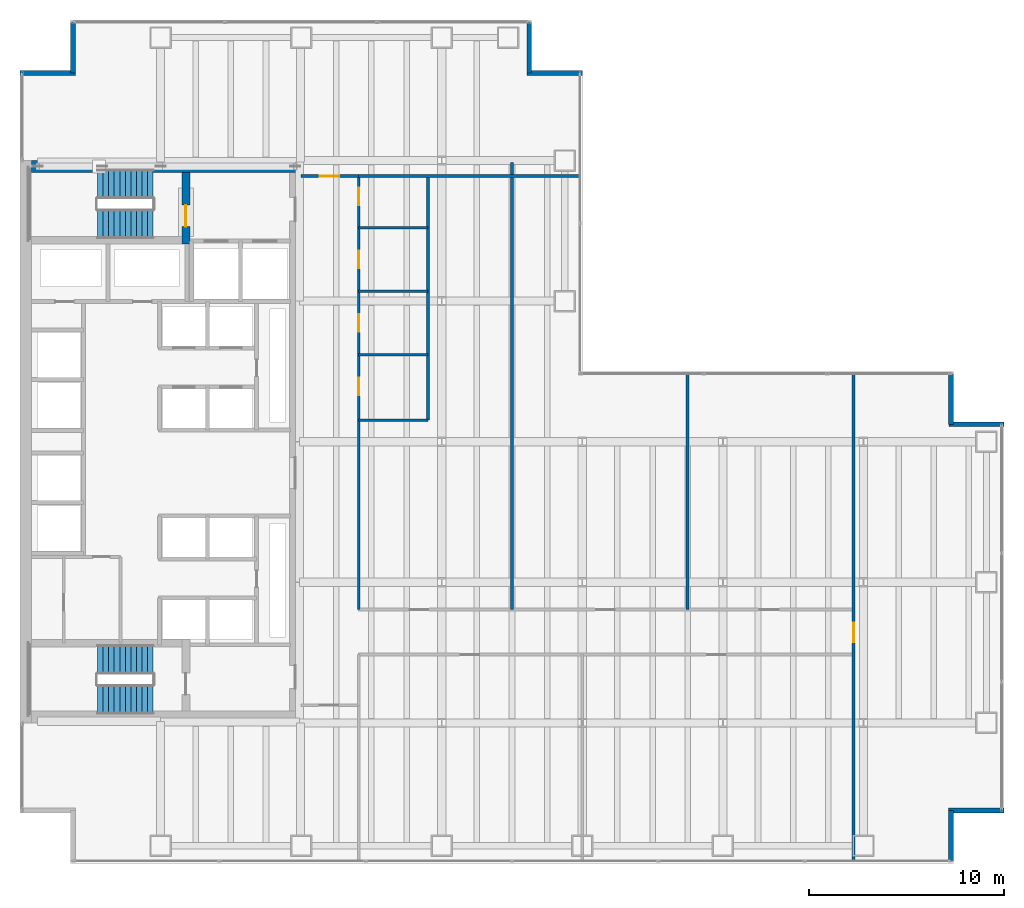
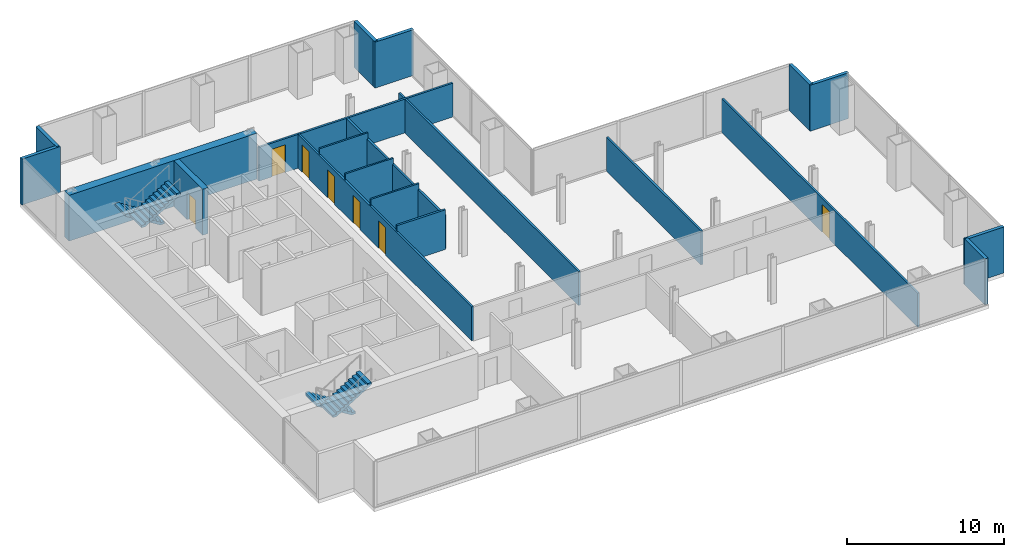
# One storey, part 22 of 23: 21 walls, 7 doors, 4 stair flights, 7 openings, 2 elements without a shape of their own.
"""IFC4 building model written with IfcOpenShell, lengths in metres."""

from ifc_helpers import new_model, si_unit, direction, frame, frame_2d, origin, place, context, subcontext, project, spatial, polyline, rectangle, outline, extrude, material, layer, layer_set, type_object, element, fill, aggregate, save


model = new_model("IFC4")

# Units and contexts
model_context = context("Model", 3, precision=1e-05, world=origin(), true_north=direction((0.0, 1.0)))
body_context = subcontext(model_context, "Body", "Model", "MODEL_VIEW")
ifc_project = project(units=[si_unit("LENGTHUNIT", "METRE"), si_unit("AREAUNIT", "SQUARE_METRE"), si_unit("VOLUMEUNIT", "CUBIC_METRE"), si_unit("PLANEANGLEUNIT", "RADIAN"), si_unit("MASSUNIT", "GRAM", prefix="KILO")], contexts=[model_context])

# Site, building, storey
site_placement = place(None, origin())
site = spatial("IfcSite", under=ifc_project, at=site_placement, CompositionType="ELEMENT")
building_placement = place(site_placement, origin())
building = spatial("IfcBuilding", under=site, at=building_placement, Name="Cobrela Telecom Tower", CompositionType="ELEMENT")
storey_placement = place(building_placement, frame((0.0, 0.0, 38.85009765625)))
storey = spatial("IfcBuildingStorey", under=building, at=storey_placement, Name="L09", CompositionType="ELEMENT", Elevation=38.85009765625)

# Walls
ifc_material_1 = material(Name="Concrete C50/60", Category="concrete")
ifc_layer_1 = layer(ifc_material_1, 0.60009765625)
ifc_layer_set_1 = layer_set([ifc_layer_1], Name="Concrete C50/60")
wall_type_1 = type_object("IfcWallType", Name="WALL-CORE-C50-600", PredefinedType="SHEAR", material=ifc_layer_set_1)
wall_1_placement = place(storey_placement, frame((0.60009765625, 35.699951171875, 0.0), z_axis=(0.0, 0.0, 1.0), x_axis=(1.0, 0.0, 0.0)))
element("IfcWall", 1, at=wall_1_placement, inside=storey, type_object=wall_type_1, Name="L09 North Core Shear Wall", PredefinedType="SHEAR", context=body_context, shape_type="SweptSolid", body=[
    extrude(rectangle(XDim=13.7998046875, YDim=0.60009765625, at=frame_2d((6.89990234375, 0.0))), origin(), (0.0, 0.0, 1.0), 3.56982421875),
])
ifc_material_2 = material(Name="Concrete C40/50", Category="concrete")
ifc_layer_2 = layer(ifc_material_2, 0.239990234375)
ifc_layer_set_2 = layer_set([ifc_layer_2], Name="Concrete C40/50")
wall_type_2 = type_object("IfcWallType", Name="WALL-EXT-300", PredefinedType="STANDARD", material=ifc_layer_set_2)
wall_2_placement = place(storey_placement, frame((0.0, 40.489990234375, 0.0), z_axis=(0.0, 0.0, 1.0), x_axis=(1.0, 0.0, 0.0)))
element("IfcWall", 2, at=wall_2_placement, inside=storey, type_object=wall_type_2, Name="L09 Insulated Facade Wall 05", PredefinedType="STANDARD", context=body_context, shape_type="SweptSolid", body=[
    extrude(rectangle(XDim=2.830078125, YDim=0.239990234375, at=frame_2d((1.4150390625, 0.0))), origin(), (0.0, 0.0, 1.0), 3.56982421875),
])
for number, where, z_axis, x_axis, name in (
    (3, (2.7099609375, 40.489990234375, 0.0), (0.0, 0.0, 1.0), (0.0, 1.0, 0.0), "L09 Insulated Facade Wall 06"),
    (4, (26.090087890625, 43.080078125, 0.0), (0.0, 0.0, 1.0), (0.0, -1.0, 0.0), "L09 Insulated Facade Wall 08"),
):
    element("IfcWall", number, at=place(storey_placement, frame(where, z_axis=z_axis, x_axis=x_axis)), inside=storey, type_object=wall_type_2, Name=name, PredefinedType="STANDARD", context=body_context, shape_type="SweptSolid", body=[
        extrude(rectangle(XDim=2.590087890625, YDim=0.239990234375, at=frame_2d((1.294921875, 0.0))), origin(), (0.0, 0.0, 1.0), 3.56982421875),
    ])
wall_3_placement = place(storey_placement, frame((25.969970703125, 40.489990234375, 0.0), z_axis=(0.0, 0.0, 1.0), x_axis=(1.0, 0.0, 0.0)))
element("IfcWall", 5, at=wall_3_placement, inside=storey, type_object=wall_type_2, Name="L09 Insulated Facade Wall 09", PredefinedType="STANDARD", context=body_context, shape_type="SweptSolid", body=[
    extrude(rectangle(XDim=2.830078125, YDim=0.239990234375, at=frame_2d((1.4150390625, 0.0))), origin(), (0.0, 0.0, 1.0), 3.56982421875),
])
wall_4_placement = place(storey_placement, frame((47.68994140625, 25.080078125, 0.0), z_axis=(0.0, 0.0, 1.0), x_axis=(0.0, -1.0, 0.0)))
element("IfcWall", 6, at=wall_4_placement, inside=storey, type_object=wall_type_2, Name="L09 Insulated Facade Wall 12", PredefinedType="STANDARD", context=body_context, shape_type="SweptSolid", body=[
    extrude(rectangle(XDim=2.590087890625, YDim=0.239990234375, at=frame_2d((1.294921875, 0.0))), origin(), (0.0, 0.0, 1.0), 3.56982421875),
])
for number, where, z_axis, x_axis, name in (
    (7, (47.570068359375, 22.489990234375, 0.0), (0.0, 0.0, 1.0), (1.0, 0.0, 0.0), "L09 Insulated Facade Wall 13"),
    (8, (50.39990234375, 2.7099609375, 0.0), (0.0, 0.0, 1.0), (-1.0, 0.0, 0.0), "L09 Insulated Facade Wall 15"),
):
    element("IfcWall", number, at=place(storey_placement, frame(where, z_axis=z_axis, x_axis=x_axis)), inside=storey, type_object=wall_type_2, Name=name, PredefinedType="STANDARD", context=body_context, shape_type="SweptSolid", body=[
        extrude(rectangle(XDim=2.829833984375, YDim=0.239990234375, at=frame_2d((1.4150390625, 0.0))), origin(), (0.0, 0.0, 1.0), 3.56982421875),
    ])
wall_5_placement = place(storey_placement, frame((47.68994140625, 2.7099609375, 0.0), z_axis=(0.0, 0.0, 1.0), x_axis=(0.0, -1.0, 0.0)))
element("IfcWall", 9, at=wall_5_placement, inside=storey, type_object=wall_type_2, Name="L09 Insulated Facade Wall 16", PredefinedType="STANDARD", context=body_context, shape_type="SweptSolid", body=[
    extrude(rectangle(XDim=2.58984375, YDim=0.239990234375, at=frame_2d((1.294921875, 0.0))), origin(), (0.0, 0.0, 1.0), 3.56982421875),
])
ifc_material_3 = material(Name="Fire-Rated Gypsum Plasterboard")
ifc_layer_3 = layer(ifc_material_3, 0.125)
ifc_layer_set_3 = layer_set([ifc_layer_3], Name="Fire-Rated Gypsum Plasterboard")
wall_type_3 = type_object("IfcWallType", Name="WALL-PART-125", PredefinedType="PARTITIONING", material=ifc_layer_set_3)
for number, where, z_axis, x_axis, name in (
    (10, (17.35009765625, 26.050048828125, 0.0), (0.0, 0.0, 1.0), (1.0, 0.0, 0.0), "L09 Interior Partition W-WCD-1"),
    (11, (17.35009765625, 29.300048828125, 0.0), (0.0, 0.0, 1.0), (1.0, 0.0, 0.0), "L09 Interior Partition W-WCD-2"),
    (12, (17.35009765625, 32.550048828125, 0.0), (0.0, 0.0, 1.0), (1.0, 0.0, 0.0), "L09 Interior Partition W-WCD-3"),
):
    element("IfcWall", number, at=place(storey_placement, frame(where, z_axis=z_axis, x_axis=x_axis)), inside=storey, type_object=wall_type_3, Name=name, PredefinedType="PARTITIONING", context=body_context, shape_type="SweptSolid", body=[
        extrude(rectangle(XDim=3.5498046875, YDim=0.125, at=frame_2d((1.77490234375, 0.0))), origin(), (0.0, 0.0, 1.0), 3.087890625),
    ])

# Wall, opening, door
ifc_layer_4 = layer(ifc_material_3, 0.14990234375)
ifc_layer_set_4 = layer_set([ifc_layer_4], Name="Fire-Rated Gypsum Plasterboard")
wall_type_4 = type_object("IfcWallType", Name="WALL-PART-150", PredefinedType="PARTITIONING", material=ifc_layer_set_4)
wall_6_placement = place(storey_placement, frame((14.39990234375, 35.199951171875, 0.0), z_axis=(0.0, 0.0, 1.0), x_axis=(1.0, 0.0, 0.0)))
wall_6 = element("IfcWall", 13, at=wall_6_placement, inside=storey, type_object=wall_type_4, Name="L09 Interior Partition W-C-N0", PredefinedType="PARTITIONING", context=body_context, shape_type="SweptSolid", body=[
    extrude(rectangle(XDim=2.9501953125, YDim=0.14990234375, at=frame_2d((1.47509765625, 0.0))), origin(), (0.0, 0.0, 1.0), 2.6279296875),
])
opening_1_placement = place(wall_6_placement, frame((0.949951171875, 0.0, 0.0)))
opening_1 = element("IfcOpeningElement", 14, at=opening_1_placement, cuts=wall_6, Name="Opening DR-31", PredefinedType="OPENING", context=body_context, shape_type="SweptSolid", body=[
    extrude(rectangle(XDim=1.0, YDim=2.14990234375, at=frame_2d((0.5, 1.074951171875))), frame((0.0, 0.0869140625, 0.0), z_axis=(0.0, -1.0, 0.0), x_axis=(1.0, 0.0, 0.0)), (0.0, 0.0, 1.0), 0.173828125),
])
ifc_material_4 = material(Name="Solid Engineered Oak Timber", Category="wood")
door_type_1 = type_object("IfcDoorType", Name="DOOR-INT-1000", OperationType="SINGLE_SWING_LEFT", PredefinedType="DOOR", material=ifc_material_4)
door_1_placement = place(opening_1_placement, origin())
door_1 = element("IfcDoor", 15, at=door_1_placement, inside=storey, type_object=door_type_1, Name="L09 Door DR-31", OperationType="SINGLE_SWING_LEFT", OverallHeight=2.14990234375, OverallWidth=1.0, PredefinedType="DOOR", context=body_context, shape_type="SweptSolid", body=[
    extrude(rectangle(XDim=1.0, YDim=2.14990234375, at=frame_2d((0.5, 1.074951171875))), frame((0.0, 0.02490234375, 0.0), z_axis=(0.0, -1.0, 0.0), x_axis=(1.0, 0.0, 0.0)), (0.0, 0.0, 1.0), 0.050048828125),
])
fill(opening_1, door_1)

# Wall, openings, doors
wall_7_placement = place(storey_placement, frame((17.35009765625, 13.0, 0.0), z_axis=(0.0, 0.0, 1.0), x_axis=(0.0, 1.0, 0.0)))
wall_7 = element("IfcWall", 16, at=wall_7_placement, inside=storey, type_object=wall_type_4, Name="L09 Interior Partition W-C-E2", PredefinedType="PARTITIONING", context=body_context, shape_type="SweptSolid", body=[
    extrude(rectangle(XDim=22.199951171875, YDim=0.14990234375, at=frame_2d((11.10009765625, 0.0))), origin(), (0.0, 0.0, 1.0), 2.6279296875),
])
opening_2_placement = place(wall_7_placement, frame((10.97998046875, 0.0, 0.0)))
opening_2 = element("IfcOpeningElement", 17, at=opening_2_placement, cuts=wall_7, Name="Opening DR-41", PredefinedType="OPENING", context=body_context, shape_type="SweptSolid", body=[
    extrude(rectangle(XDim=0.89990234375, YDim=2.14990234375, at=frame_2d((0.449951171875, 1.074951171875))), frame((0.0, 0.0869140625, 0.0), z_axis=(0.0, -1.0, 0.0), x_axis=(1.0, 0.0, 0.0)), (0.0, 0.0, 1.0), 0.173828125),
])
opening_3_placement = place(wall_7_placement, frame((14.22998046875, 0.0, 0.0)))
opening_3 = element("IfcOpeningElement", 18, at=opening_3_placement, cuts=wall_7, Name="Opening DR-41", PredefinedType="OPENING", context=body_context, shape_type="SweptSolid", body=[
    extrude(rectangle(XDim=0.89990234375, YDim=2.14990234375, at=frame_2d((0.449951171875, 1.074951171875))), frame((0.0, 0.0869140625, 0.0), z_axis=(0.0, -1.0, 0.0), x_axis=(1.0, 0.0, 0.0)), (0.0, 0.0, 1.0), 0.173828125),
])
opening_4_placement = place(wall_7_placement, frame((17.47998046875, 0.0, 0.0)))
opening_4 = element("IfcOpeningElement", 19, at=opening_4_placement, cuts=wall_7, Name="Opening DR-41", PredefinedType="OPENING", context=body_context, shape_type="SweptSolid", body=[
    extrude(rectangle(XDim=0.89990234375, YDim=2.14990234375, at=frame_2d((0.449951171875, 1.074951171875))), frame((0.0, 0.0869140625, 0.0), z_axis=(0.0, -1.0, 0.0), x_axis=(1.0, 0.0, 0.0)), (0.0, 0.0, 1.0), 0.173828125),
])
opening_5_placement = place(wall_7_placement, frame((20.719970703125, 0.0, 0.0)))
opening_5 = element("IfcOpeningElement", 20, at=opening_5_placement, cuts=wall_7, Name="Opening DR-41", PredefinedType="OPENING", context=body_context, shape_type="SweptSolid", body=[
    extrude(rectangle(XDim=0.89990234375, YDim=2.14990234375, at=frame_2d((0.449951171875, 1.074951171875))), frame((0.0, 0.0869140625, 0.0), z_axis=(0.0, -1.0, 0.0), x_axis=(1.0, 0.0, 0.0)), (0.0, 0.0, 1.0), 0.173828125),
])
door_type_2 = type_object("IfcDoorType", Name="DOOR-INT-900", OperationType="SINGLE_SWING_LEFT", PredefinedType="DOOR", material=ifc_material_4)
door_2_placement = place(opening_2_placement, origin())
door_2 = element("IfcDoor", 21, at=door_2_placement, inside=storey, type_object=door_type_2, Name="L09 Door DR-41", OperationType="SINGLE_SWING_LEFT", OverallHeight=2.14990234375, OverallWidth=0.89990234375, PredefinedType="DOOR", context=body_context, shape_type="SweptSolid", body=[
    extrude(rectangle(XDim=0.89990234375, YDim=2.14990234375, at=frame_2d((0.449951171875, 1.074951171875))), frame((0.0, 0.02490234375, 0.0), z_axis=(0.0, -1.0, 0.0), x_axis=(1.0, 0.0, 0.0)), (0.0, 0.0, 1.0), 0.050048828125),
])
fill(opening_2, door_2)
door_3_placement = place(opening_3_placement, origin())
door_3 = element("IfcDoor", 22, at=door_3_placement, inside=storey, type_object=door_type_2, Name="L09 Door DR-41", OperationType="SINGLE_SWING_RIGHT", OverallHeight=2.14990234375, OverallWidth=0.89990234375, PredefinedType="DOOR", context=body_context, shape_type="SweptSolid", body=[
    extrude(rectangle(XDim=0.89990234375, YDim=2.14990234375, at=frame_2d((0.449951171875, 1.074951171875))), frame((0.0, 0.02490234375, 0.0), z_axis=(0.0, -1.0, 0.0), x_axis=(1.0, 0.0, 0.0)), (0.0, 0.0, 1.0), 0.050048828125),
])
fill(opening_3, door_3)
door_4_placement = place(opening_4_placement, origin())
door_4 = element("IfcDoor", 23, at=door_4_placement, inside=storey, type_object=door_type_2, Name="L09 Door DR-41", OperationType="SINGLE_SWING_LEFT", OverallHeight=2.14990234375, OverallWidth=0.89990234375, PredefinedType="DOOR", context=body_context, shape_type="SweptSolid", body=[
    extrude(rectangle(XDim=0.89990234375, YDim=2.14990234375, at=frame_2d((0.449951171875, 1.074951171875))), frame((0.0, 0.02490234375, 0.0), z_axis=(0.0, -1.0, 0.0), x_axis=(1.0, 0.0, 0.0)), (0.0, 0.0, 1.0), 0.050048828125),
])
fill(opening_4, door_4)
door_5_placement = place(opening_5_placement, origin())
door_5 = element("IfcDoor", 24, at=door_5_placement, inside=storey, type_object=door_type_2, Name="L09 Door DR-41", OperationType="SINGLE_SWING_RIGHT", OverallHeight=2.14990234375, OverallWidth=0.89990234375, PredefinedType="DOOR", context=body_context, shape_type="SweptSolid", body=[
    extrude(rectangle(XDim=0.89990234375, YDim=2.14990234375, at=frame_2d((0.449951171875, 1.074951171875))), frame((0.0, 0.02490234375, 0.0), z_axis=(0.0, -1.0, 0.0), x_axis=(1.0, 0.0, 0.0)), (0.0, 0.0, 1.0), 0.050048828125),
])
fill(opening_5, door_5)

# Wall, opening, door
wall_8_placement = place(storey_placement, frame((42.699951171875, 0.1201171875, 0.0), z_axis=(0.0, 0.0, 1.0), x_axis=(0.0, 1.0, 0.0)))
wall_8 = element("IfcWall", 25, at=wall_8_placement, inside=storey, type_object=wall_type_4, Name="L09 Interior Partition W-C-END", PredefinedType="PARTITIONING", context=body_context, shape_type="SweptSolid", body=[
    extrude(rectangle(XDim=24.9599609375, YDim=0.14990234375, at=frame_2d((12.47998046875, 0.0))), origin(), (0.0, 0.0, 1.0), 2.6279296875),
])
opening_6_placement = place(wall_8_placement, frame((11.199951171875, 0.0, 0.0)))
opening_6 = element("IfcOpeningElement", 26, at=opening_6_placement, cuts=wall_8, Name="Opening DR-31", PredefinedType="OPENING", context=body_context, shape_type="SweptSolid", body=[
    extrude(rectangle(XDim=1.0, YDim=2.14990234375, at=frame_2d((0.5, 1.074951171875))), frame((0.0, 0.0869140625, 0.0), z_axis=(0.0, -1.0, 0.0), x_axis=(1.0, 0.0, 0.0)), (0.0, 0.0, 1.0), 0.173828125),
])
door_6_placement = place(opening_6_placement, origin())
door_6 = element("IfcDoor", 27, at=door_6_placement, inside=storey, type_object=door_type_1, Name="L09 Door DR-31", OperationType="SINGLE_SWING_LEFT", OverallHeight=2.14990234375, OverallWidth=1.0, PredefinedType="DOOR", context=body_context, shape_type="SweptSolid", body=[
    extrude(rectangle(XDim=1.0, YDim=2.14990234375, at=frame_2d((0.5, 1.074951171875))), frame((0.0, 0.02490234375, 0.0), z_axis=(0.0, -1.0, 0.0), x_axis=(1.0, 0.0, 0.0)), (0.0, 0.0, 1.0), 0.050048828125),
])
fill(opening_6, door_6)

# Walls
wall_9_placement = place(storey_placement, frame((17.35009765625, 35.199951171875, 0.0), z_axis=(0.0, 0.0, 1.0), x_axis=(1.0, 0.0, 0.0)))
element("IfcWall", 28, at=wall_9_placement, inside=storey, type_object=wall_type_4, Name="L09 Interior Partition W-NW-S", PredefinedType="PARTITIONING", context=body_context, shape_type="SweptSolid", body=[
    extrude(rectangle(XDim=11.329833984375, YDim=0.14990234375, at=frame_2d((5.6650390625, 0.0))), origin(), (0.0, 0.0, 1.0), 2.6279296875),
])
wall_10_placement = place(storey_placement, frame((17.35009765625, 22.699951171875, 0.0), z_axis=(0.0, 0.0, 1.0), x_axis=(1.0, 0.0, 0.0)))
element("IfcWall", 29, at=wall_10_placement, inside=storey, type_object=wall_type_4, Name="L09 Interior Partition W-WC-S", PredefinedType="PARTITIONING", context=body_context, shape_type="SweptSolid", body=[
    extrude(rectangle(XDim=3.5498046875, YDim=0.14990234375, at=frame_2d((1.77490234375, 0.0))), origin(), (0.0, 0.0, 1.0), 3.087890625),
])
wall_11_placement = place(storey_placement, frame((20.89990234375, 22.699951171875, 0.0), z_axis=(0.0, 0.0, 1.0), x_axis=(0.0, 1.0, 0.0)))
element("IfcWall", 30, at=wall_11_placement, inside=storey, type_object=wall_type_4, Name="L09 Interior Partition W-WC-E", PredefinedType="PARTITIONING", context=body_context, shape_type="SweptSolid", body=[
    extrude(rectangle(XDim=12.5, YDim=0.14990234375, at=frame_2d((6.25, 0.0))), origin(), (0.0, 0.0, 1.0), 2.6279296875),
])
wall_12_placement = place(storey_placement, frame((25.199951171875, 13.0, 0.0), z_axis=(0.0, 0.0, 1.0), x_axis=(0.0, 1.0, 0.0)))
element("IfcWall", 31, at=wall_12_placement, inside=storey, type_object=wall_type_4, Name="L09 Interior Partition W-NV-1", PredefinedType="PARTITIONING", context=body_context, shape_type="SweptSolid", body=[
    extrude(rectangle(XDim=22.89990234375, YDim=0.14990234375, at=frame_2d((11.449951171875, 0.0))), origin(), (0.0, 0.0, 1.0), 2.6279296875),
])
wall_13_placement = place(storey_placement, frame((34.199951171875, 13.0, 0.0), z_axis=(0.0, 0.0, 1.0), x_axis=(0.0, 1.0, 0.0)))
element("IfcWall", 32, at=wall_13_placement, inside=storey, type_object=wall_type_4, Name="L09 Interior Partition W-NV-2", PredefinedType="PARTITIONING", context=body_context, shape_type="SweptSolid", body=[
    extrude(rectangle(XDim=12.050048828125, YDim=0.14990234375, at=frame_2d((6.02490234375, 0.0))), origin(), (0.0, 0.0, 1.0), 2.6279296875),
])

# Wall, opening, door
ifc_layer_5 = layer(ifc_material_2, 0.39990234375)
ifc_layer_set_5 = layer_set([ifc_layer_5], Name="Concrete C40/50")
wall_type_5 = type_object("IfcWallType", Name="WALL-SHAFT-C40-400", PredefinedType="SHEAR", material=ifc_layer_set_5)
wall_14_placement = place(storey_placement, frame((8.5, 31.719970703125, 0.0), z_axis=(0.0, 0.0, 1.0), x_axis=(0.0, 1.0, 0.0)))
wall_14 = element("IfcWall", 33, at=wall_14_placement, inside=storey, type_object=wall_type_5, Name="L09 North Stair Lobby Shear Wall", PredefinedType="SHEAR", context=body_context, shape_type="SweptSolid", body=[
    extrude(rectangle(XDim=3.679931640625, YDim=0.39990234375, at=frame_2d((1.83984375, 0.0))), origin(), (0.0, 0.0, 1.0), 3.56982421875),
])
opening_7_placement = place(wall_14_placement, frame((0.89990234375, 0.0, 0.0)))
opening_7 = element("IfcOpeningElement", 34, at=opening_7_placement, cuts=wall_14, Name="Opening DR-59", PredefinedType="OPENING", context=body_context, shape_type="SweptSolid", body=[
    extrude(rectangle(XDim=1.10009765625, YDim=2.14990234375, at=frame_2d((0.550048828125, 1.074951171875))), frame((0.0, 0.2119140625, 0.0), z_axis=(0.0, -1.0, 0.0), x_axis=(1.0, 0.0, 0.0)), (0.0, 0.0, 1.0), 0.423828125),
])
ifc_material_5 = material(Name="Steel ASTM A36", Category="steel")
door_type_3 = type_object("IfcDoorType", Name="DOOR-FD60-1100", OperationType="SINGLE_SWING_LEFT", PredefinedType="DOOR", material=ifc_material_5)
door_7_placement = place(opening_7_placement, origin())
door_7 = element("IfcDoor", 35, at=door_7_placement, inside=storey, type_object=door_type_3, Name="L09 Door DR-59", OperationType="SINGLE_SWING_RIGHT", OverallHeight=2.14990234375, OverallWidth=1.10009765625, PredefinedType="DOOR", context=body_context, shape_type="SweptSolid", body=[
    extrude(rectangle(XDim=1.10009765625, YDim=2.14990234375, at=frame_2d((0.550048828125, 1.074951171875))), frame((0.0, 0.02490234375, 0.0), z_axis=(0.0, -1.0, 0.0), x_axis=(1.0, 0.0, 0.0)), (0.0, 0.0, 1.0), 0.050048828125),
])
fill(opening_7, door_7)

# Stair, stair flights
stair_type = type_object("IfcStairType", Name="STAIR-CORE", PredefinedType="HALF_TURN_STAIR", material=ifc_material_2)
stair_1_placement = place(storey_placement, origin())
stair_1 = element("IfcStair", 36, at=stair_1_placement, inside=storey, type_object=stair_type, Name="L09 Smokeproof Exit Stair ST1", PredefinedType="HALF_TURN_STAIR")
stair_flight_type = type_object("IfcStairFlightType", Name="FLIGHT-CORE", PredefinedType="STRAIGHT", material=ifc_material_2)
stair_flight_1_placement = place(storey_placement, frame((6.820068359375, 34.800048828125, 0.0), z_axis=(0.0, 0.0, 1.0), x_axis=(-1.0, 0.0, 0.0)))
stair_flight_1 = element("IfcStairFlight", 37, at=stair_flight_1_placement, type_object=stair_flight_type, Name="ST1 flight 1", NumberOfRisers=11, NumberOfTreads=10, PredefinedType="STRAIGHT", RiserHeight=0.175, TreadLength=0.285, context=body_context, shape_type="SweptSolid", body=[
    extrude(outline(polyline([(0.0, 0.0), (0.0, 0.175048828125), (0.284912109375, 0.175048828125), (0.284912109375, 0.35009765625), (0.570068359375, 0.35009765625), (0.570068359375, 0.52490234375), (0.85498046875, 0.52490234375), (0.85498046875, 0.699951171875), (1.139892578125, 0.699951171875), (1.139892578125, 0.875), (1.425048828125, 0.875), (1.425048828125, 1.050048828125), (1.7099609375, 1.050048828125), (1.7099609375, 1.22509765625), (1.9951171875, 1.22509765625), (1.9951171875, 1.39990234375), (2.280029296875, 1.39990234375), (2.280029296875, 1.574951171875), (2.56494140625, 1.574951171875), (2.56494140625, 1.75), (2.85009765625, 1.75), (2.85009765625, 1.925048828125), (2.85009765625, 1.573974609375), (0.286376953125, 0.0), (0.0, 0.0)])), frame((0.0, 0.75, 0.0), z_axis=(0.0, -1.0, 0.0), x_axis=(1.0, 0.0, 0.0)), (0.0, 0.0, 1.0), 1.5),
])
stair_flight_2_placement = place(storey_placement, frame((3.969970703125, 32.75, 1.9248046875), z_axis=(0.0, 0.0, 1.0), x_axis=(1.0, 0.0, 0.0)))
stair_flight_2 = element("IfcStairFlight", 38, at=stair_flight_2_placement, type_object=stair_flight_type, Name="ST1 flight 2", NumberOfRisers=11, NumberOfTreads=10, PredefinedType="STRAIGHT", RiserHeight=0.175, TreadLength=0.285, context=body_context, shape_type="SweptSolid", body=[
    extrude(outline(polyline([(0.0, 0.0), (0.0, 0.175048828125), (0.284912109375, 0.175048828125), (0.284912109375, 0.35009765625), (0.570068359375, 0.35009765625), (0.570068359375, 0.52490234375), (0.85498046875, 0.52490234375), (0.85498046875, 0.699951171875), (1.139892578125, 0.699951171875), (1.139892578125, 0.875), (1.425048828125, 0.875), (1.425048828125, 1.050048828125), (1.7099609375, 1.050048828125), (1.7099609375, 1.22509765625), (1.9951171875, 1.22509765625), (1.9951171875, 1.39990234375), (2.280029296875, 1.39990234375), (2.280029296875, 1.574951171875), (2.56494140625, 1.574951171875), (2.56494140625, 1.75), (2.85009765625, 1.75), (2.85009765625, 1.925048828125), (2.85009765625, 1.573974609375), (0.286376953125, 0.0), (0.0, 0.0)])), frame((0.0, 0.75, 0.0), z_axis=(0.0, -1.0, 0.0), x_axis=(1.0, 0.0, 0.0)), (0.0, 0.0, 1.0), 1.5),
])
aggregate(stair_1, [stair_flight_1, stair_flight_2])

stair_2_placement = place(storey_placement, origin())
stair_2 = element("IfcStair", 39, at=stair_2_placement, inside=storey, type_object=stair_type, Name="L09 Smokeproof Exit Stair ST2", PredefinedType="HALF_TURN_STAIR")
stair_flight_3_placement = place(storey_placement, frame((6.820068359375, 10.449951171875, 0.0), z_axis=(0.0, 0.0, 1.0), x_axis=(-1.0, 0.0, 0.0)))
stair_flight_3 = element("IfcStairFlight", 40, at=stair_flight_3_placement, type_object=stair_flight_type, Name="ST2 flight 1", NumberOfRisers=11, NumberOfTreads=10, PredefinedType="STRAIGHT", RiserHeight=0.175, TreadLength=0.285, context=body_context, shape_type="SweptSolid", body=[
    extrude(outline(polyline([(0.0, 0.0), (0.0, 0.175048828125), (0.284912109375, 0.175048828125), (0.284912109375, 0.35009765625), (0.570068359375, 0.35009765625), (0.570068359375, 0.52490234375), (0.85498046875, 0.52490234375), (0.85498046875, 0.699951171875), (1.139892578125, 0.699951171875), (1.139892578125, 0.875), (1.425048828125, 0.875), (1.425048828125, 1.050048828125), (1.7099609375, 1.050048828125), (1.7099609375, 1.22509765625), (1.9951171875, 1.22509765625), (1.9951171875, 1.39990234375), (2.280029296875, 1.39990234375), (2.280029296875, 1.574951171875), (2.56494140625, 1.574951171875), (2.56494140625, 1.75), (2.85009765625, 1.75), (2.85009765625, 1.925048828125), (2.85009765625, 1.573974609375), (0.286376953125, 0.0), (0.0, 0.0)])), frame((0.0, 0.75, 0.0), z_axis=(0.0, -1.0, 0.0), x_axis=(1.0, 0.0, 0.0)), (0.0, 0.0, 1.0), 1.5),
])
stair_flight_4_placement = place(storey_placement, frame((3.969970703125, 8.39990234375, 1.9248046875), z_axis=(0.0, 0.0, 1.0), x_axis=(1.0, 0.0, 0.0)))
stair_flight_4 = element("IfcStairFlight", 41, at=stair_flight_4_placement, type_object=stair_flight_type, Name="ST2 flight 2", NumberOfRisers=11, NumberOfTreads=10, PredefinedType="STRAIGHT", RiserHeight=0.175, TreadLength=0.285, context=body_context, shape_type="SweptSolid", body=[
    extrude(outline(polyline([(0.0, 0.0), (0.0, 0.175048828125), (0.284912109375, 0.175048828125), (0.284912109375, 0.35009765625), (0.570068359375, 0.35009765625), (0.570068359375, 0.52490234375), (0.85498046875, 0.52490234375), (0.85498046875, 0.699951171875), (1.139892578125, 0.699951171875), (1.139892578125, 0.875), (1.425048828125, 0.875), (1.425048828125, 1.050048828125), (1.7099609375, 1.050048828125), (1.7099609375, 1.22509765625), (1.9951171875, 1.22509765625), (1.9951171875, 1.39990234375), (2.280029296875, 1.39990234375), (2.280029296875, 1.574951171875), (2.56494140625, 1.574951171875), (2.56494140625, 1.75), (2.85009765625, 1.75), (2.85009765625, 1.925048828125), (2.85009765625, 1.573974609375), (0.286376953125, 0.0), (0.0, 0.0)])), frame((0.0, 0.75, 0.0), z_axis=(0.0, -1.0, 0.0), x_axis=(1.0, 0.0, 0.0)), (0.0, 0.0, 1.0), 1.5),
])
aggregate(stair_2, [stair_flight_3, stair_flight_4])

save(model, "model.ifc")
